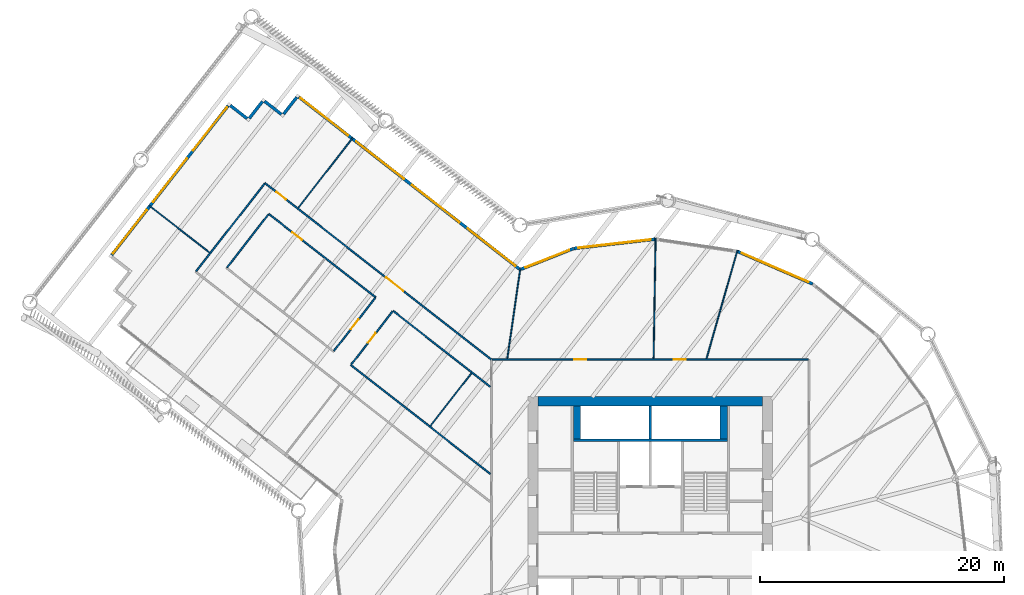
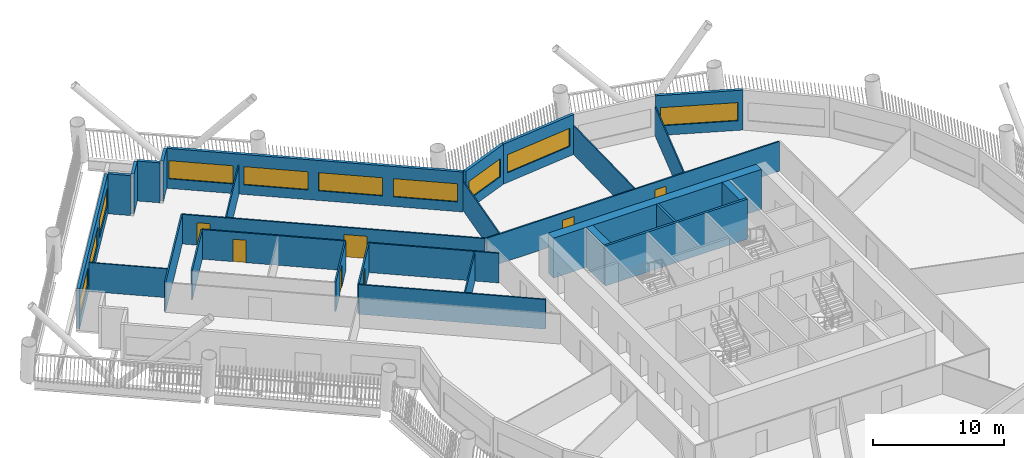
# One storey, part 7 of 22: 29 walls, 10 windows, 7 doors, 17 openings.
"""IFC4 building model written with IfcOpenShell, lengths in metres."""

from ifc_helpers import new_model, si_unit, direction, frame, frame_2d, origin, place, context, subcontext, project, spatial, rectangle, extrude, material, layer, layer_set, type_object, element, fill, save


model = new_model("IFC4")

# Units and contexts
model_context = context("Model", 3, precision=1e-05, world=origin(), true_north=direction((0.0, 1.0)))
body_context = subcontext(model_context, "Body", "Model", "MODEL_VIEW")
ifc_project = project(units=[si_unit("LENGTHUNIT", "METRE"), si_unit("AREAUNIT", "SQUARE_METRE"), si_unit("VOLUMEUNIT", "CUBIC_METRE"), si_unit("PLANEANGLEUNIT", "RADIAN"), si_unit("MASSUNIT", "GRAM", prefix="KILO")], contexts=[model_context])

# Site, building, storey
site_placement = place(None, origin())
site = spatial("IfcSite", under=ifc_project, at=site_placement, CompositionType="ELEMENT")
building_placement = place(site_placement, origin())
building = spatial("IfcBuilding", under=site, at=building_placement, Name="Tarsis Ring Headquarters", CompositionType="ELEMENT")
storey_placement = place(building_placement, frame((0.0, 0.0, 116.199951171875)))
storey = spatial("IfcBuildingStorey", under=building, at=storey_placement, Name="L26", CompositionType="ELEMENT", Elevation=116.199951171875)

# Walls
ifc_material_1 = material(Name="Concrete C60/75", Category="concrete")
ifc_layer_1 = layer(ifc_material_1, 0.800048828125)
ifc_layer_set_1 = layer_set([ifc_layer_1], Name="Core wall 800 C60/75")
wall_type_1 = type_object("IfcWallType", Name="Core wall 800 C60/75", PredefinedType="SHEAR", material=ifc_layer_set_1)
wall_1_placement = place(storey_placement, frame((-9.199951171875, 12.60009765625, 0.0), z_axis=(0.0, 0.0, 1.0), x_axis=(1.0, 0.0, 0.0)))
element("IfcWall", 1, at=wall_1_placement, inside=storey, type_object=wall_type_1, Name="Core wall ON", PredefinedType="SHEAR", context=body_context, shape_type="SweptSolid", body=[
    extrude(rectangle(XDim=18.39990234375, YDim=0.800048828125, at=frame_2d((9.199951171875, 0.0))), origin(), (0.0, 0.0, 1.0), 3.739990234375),
])
ifc_material_2 = material(Name="Gypsum board on steel studs", Category="steel")
ifc_layer_2 = layer(ifc_material_2, 0.10009765625)
ifc_layer_set_2 = layer_set([ifc_layer_2], Name="FL partition 100 unrated")
wall_type_2 = type_object("IfcWallType", Name="FL partition 100 unrated", PredefinedType="PARTITIONING", material=ifc_layer_set_2)
wall_2_placement = place(storey_placement, frame((0.269287109375, 16.070068359375, 0.0), z_axis=(0.0, 0.0, 1.0), x_axis=(0.016761565405, 0.999859515095, 0.0)))
element("IfcWall", 2, at=wall_2_placement, inside=storey, type_object=wall_type_2, Name="Partition PW3", PredefinedType="PARTITIONING", context=body_context, shape_type="SweptSolid", body=[
    extrude(rectangle(XDim=9.87548828125, YDim=0.10009765625, at=frame_2d((4.937744140625, 0.0))), origin(), (0.0, 0.0, 1.0), 2.699951171875),
])
wall_3_placement = place(storey_placement, frame((4.59521484375, 16.0673828125, 0.0), z_axis=(0.0, 0.0, 1.0), x_axis=(0.274951532173, 0.961458087987, 0.0)))
element("IfcWall", 3, at=wall_3_placement, inside=storey, type_object=wall_type_2, Name="Partition PW3", PredefinedType="PARTITIONING", context=body_context, shape_type="SweptSolid", body=[
    extrude(rectangle(XDim=9.236328125, YDim=0.10009765625, at=frame_2d((4.6181640625, 0.0))), origin(), (0.0, 0.0, 1.0), 2.699951171875),
])
wall_4_placement = place(storey_placement, frame((-11.705322265625, 16.06884765625, 0.0), z_axis=(0.0, 0.0, 1.0), x_axis=(0.142791016485, 0.989752860875, 0.0)))
element("IfcWall", 4, at=wall_4_placement, inside=storey, type_object=wall_type_2, Name="Partition PW3", PredefinedType="PARTITIONING", context=body_context, shape_type="SweptSolid", body=[
    extrude(rectangle(XDim=7.435791015625, YDim=0.10009765625, at=frame_2d((3.7177734375, 0.0))), origin(), (0.0, 0.0, 1.0), 2.699951171875),
])
wall_5_placement = place(storey_placement, frame((-28.824462890625, 28.423583984375, 0.0), z_axis=(0.0, 0.0, 1.0), x_axis=(0.615118651761, 0.788434552931, 0.0)))
element("IfcWall", 5, at=wall_5_placement, inside=storey, type_object=wall_type_2, Name="Partition PW3", PredefinedType="PARTITIONING", context=body_context, shape_type="SweptSolid", body=[
    extrude(rectangle(XDim=7.27001953125, YDim=0.10009765625, at=frame_2d((3.635009765625, 0.0))), origin(), (0.0, 0.0, 1.0), 2.699951171875),
])
wall_6_placement = place(storey_placement, frame((-41.02490234375, 28.61962890625, 0.0), z_axis=(0.0, 0.0, 1.0), x_axis=(0.788449137075, -0.615099957931, 0.0)))
element("IfcWall", 6, at=wall_6_placement, inside=storey, type_object=wall_type_2, Name="Partition PW3", PredefinedType="PARTITIONING", context=body_context, shape_type="SweptSolid", body=[
    extrude(rectangle(XDim=6.280029296875, YDim=0.10009765625, at=frame_2d((3.14013671875, 0.0))), origin(), (0.0, 0.0, 1.0), 2.699951171875),
])
wall_7_placement = place(storey_placement, frame((-18.006103515625, 10.572509765625, 0.0), z_axis=(0.0, 0.0, 1.0), x_axis=(0.615124310273, 0.788430138256, 0.0)))
element("IfcWall", 7, at=wall_7_placement, inside=storey, type_object=wall_type_2, Name="Partition PW3", PredefinedType="PARTITIONING", context=body_context, shape_type="SweptSolid", body=[
    extrude(rectangle(XDim=5.47998046875, YDim=0.10009765625, at=frame_2d((2.739990234375, 0.0))), origin(), (0.0, 0.0, 1.0), 2.699951171875),
])

# Wall, openings, doors
ifc_layer_3 = layer(ifc_material_2, 0.125)
ifc_layer_set_3 = layer_set([ifc_layer_3], Name="FL partition 125 EI 60 H2770")
wall_type_3 = type_object("IfcWallType", Name="FL partition 125 EI 60 H2770", PredefinedType="PARTITIONING", material=ifc_layer_set_3)
wall_8_placement = place(storey_placement, frame((-12.93994140625, 16.0, 0.0), z_axis=(0.0, 0.0, 1.0), x_axis=(1.0, 0.0, 0.0)))
wall_8 = element("IfcWall", 8, at=wall_8_placement, inside=storey, type_object=wall_type_3, Name="Partition PW1", PredefinedType="PARTITIONING", context=body_context, shape_type="SweptSolid", body=[
    extrude(rectangle(XDim=25.8798828125, YDim=0.125, at=frame_2d((12.93994140625, 0.0))), origin(), (0.0, 0.0, 1.0), 2.77001953125),
])
opening_1_placement = place(wall_8_placement, frame((6.715087890625, 0.0, 0.0)))
opening_1 = element("IfcOpeningElement", 9, at=opening_1_placement, cuts=wall_8, Name="Opening D26.04", PredefinedType="OPENING", context=body_context, shape_type="SweptSolid", body=[
    extrude(rectangle(XDim=1.0, YDim=2.10009765625, at=frame_2d((0.5, 1.050048828125))), frame((0.0, 0.072509765625, 0.0), z_axis=(0.0, -1.0, 0.0), x_axis=(1.0, 0.0, 0.0)), (0.0, 0.0, 1.0), 0.14501953125),
])
opening_2_placement = place(wall_8_placement, frame((14.862060546875, 0.0, 0.0)))
opening_2 = element("IfcOpeningElement", 10, at=opening_2_placement, cuts=wall_8, Name="Opening D26.05", PredefinedType="OPENING", context=body_context, shape_type="SweptSolid", body=[
    extrude(rectangle(XDim=1.0, YDim=2.10009765625, at=frame_2d((0.5, 1.050048828125))), frame((0.0, 0.072509765625, 0.0), z_axis=(0.0, -1.0, 0.0), x_axis=(1.0, 0.0, 0.0)), (0.0, 0.0, 1.0), 0.14501953125),
])
ifc_material_3 = material(Name="Fire-rated timber door leaf in steel frame", Category="steel")
door_type_1 = type_object("IfcDoorType", Name="FL door FD60-1000", OperationType="NOTDEFINED", PredefinedType="DOOR", material=ifc_material_3)
door_1_placement = place(opening_1_placement, origin())
door_1 = element("IfcDoor", 11, at=door_1_placement, inside=storey, type_object=door_type_1, Name="Door D26.04", OperationType="SINGLE_SWING_RIGHT", OverallHeight=2.10009765625, OverallWidth=1.0, PredefinedType="DOOR", context=body_context, shape_type="SweptSolid", body=[
    extrude(rectangle(XDim=1.0, YDim=2.10009765625, at=frame_2d((0.5, 1.050048828125))), frame((0.0, 0.02490234375, 0.0), z_axis=(0.0, -1.0, 0.0), x_axis=(1.0, 0.0, 0.0)), (0.0, 0.0, 1.0), 0.050048828125),
])
fill(opening_1, door_1)
door_2_placement = place(opening_2_placement, origin())
door_2 = element("IfcDoor", 12, at=door_2_placement, inside=storey, type_object=door_type_1, Name="Door D26.05", OperationType="SINGLE_SWING_LEFT", OverallHeight=2.10009765625, OverallWidth=1.0, PredefinedType="DOOR", context=body_context, shape_type="SweptSolid", body=[
    extrude(rectangle(XDim=1.0, YDim=2.10009765625, at=frame_2d((0.5, 1.050048828125))), frame((0.0, 0.02490234375, 0.0), z_axis=(0.0, -1.0, 0.0), x_axis=(1.0, 0.0, 0.0)), (0.0, 0.0, 1.0), 0.050048828125),
])
fill(opening_2, door_2)

wall_9_placement = place(storey_placement, frame((-31.540283203125, 30.45361328125, 0.0), z_axis=(0.0, 0.0, 1.0), x_axis=(0.788438552175, -0.615113525655, 0.0)))
wall_9 = element("IfcWall", 13, at=wall_9_placement, inside=storey, type_object=wall_type_3, Name="Partition PW1", PredefinedType="PARTITIONING", context=body_context, shape_type="SweptSolid", body=[
    extrude(rectangle(XDim=23.475341796875, YDim=0.125, at=frame_2d((11.73779296875, 0.0))), origin(), (0.0, 0.0, 1.0), 2.77001953125),
])
opening_3_placement = place(wall_9_placement, frame((1.19384765625, 0.0, 0.0)))
opening_3 = element("IfcOpeningElement", 14, at=opening_3_placement, cuts=wall_9, Name="Opening D26.02", PredefinedType="OPENING", context=body_context, shape_type="SweptSolid", body=[
    extrude(rectangle(XDim=1.0, YDim=2.10009765625, at=frame_2d((0.5, 1.050048828125))), frame((0.0, 0.072509765625, 0.0), z_axis=(0.0, -1.0, 0.0), x_axis=(1.0, 0.0, 0.0)), (0.0, 0.0, 1.0), 0.14501953125),
])
opening_4_placement = place(wall_9_placement, frame((12.551513671875, 0.0, 0.0)))
opening_4 = element("IfcOpeningElement", 15, at=opening_4_placement, cuts=wall_9, Name="Opening D26.03", PredefinedType="OPENING", context=body_context, shape_type="SweptSolid", body=[
    extrude(rectangle(XDim=1.800048828125, YDim=2.10009765625, at=frame_2d((0.89990234375, 1.050048828125))), frame((0.0, 0.072509765625, 0.0), z_axis=(0.0, -1.0, 0.0), x_axis=(1.0, 0.0, 0.0)), (0.0, 0.0, 1.0), 0.14501953125),
])
door_3_placement = place(opening_3_placement, origin())
door_3 = element("IfcDoor", 16, at=door_3_placement, inside=storey, type_object=door_type_1, Name="Door D26.02", OperationType="SINGLE_SWING_RIGHT", OverallHeight=2.10009765625, OverallWidth=1.0, PredefinedType="DOOR", context=body_context, shape_type="SweptSolid", body=[
    extrude(rectangle(XDim=1.0, YDim=2.10009765625, at=frame_2d((0.5, 1.050048828125))), frame((0.0, 0.02490234375, 0.0), z_axis=(0.0, -1.0, 0.0), x_axis=(1.0, 0.0, 0.0)), (0.0, 0.0, 1.0), 0.050048828125),
])
fill(opening_3, door_3)
door_type_2 = type_object("IfcDoorType", Name="FL door FD60-1800", OperationType="DOUBLE_DOOR_SINGLE_SWING", PredefinedType="DOOR", material=ifc_material_3)
door_4_placement = place(opening_4_placement, origin())
door_4 = element("IfcDoor", 17, at=door_4_placement, inside=storey, type_object=door_type_2, Name="Door D26.03", OperationType="DOUBLE_DOOR_SINGLE_SWING", OverallHeight=2.10009765625, OverallWidth=1.800048828125, PredefinedType="DOOR", context=body_context, shape_type="SweptSolid", body=[
    extrude(rectangle(XDim=1.800048828125, YDim=2.10009765625, at=frame_2d((0.89990234375, 1.050048828125))), frame((0.0, 0.02490234375, 0.0), z_axis=(0.0, -1.0, 0.0), x_axis=(1.0, 0.0, 0.0)), (0.0, 0.0, 1.0), 0.050048828125),
])
fill(opening_4, door_4)

# Wall
wall_10_placement = place(storey_placement, frame((-24.514404296875, 15.561279296875, 0.0), z_axis=(0.0, 0.0, 1.0), x_axis=(0.788439196984, -0.615112699152, 0.0)))
element("IfcWall", 18, at=wall_10_placement, inside=storey, type_object=wall_type_3, Name="Partition PW1", PredefinedType="PARTITIONING", context=body_context, shape_type="SweptSolid", body=[
    extrude(rectangle(XDim=14.484130859375, YDim=0.125, at=frame_2d((7.2421875, 0.0))), origin(), (0.0, 0.0, 1.0), 2.77001953125),
])

# Wall, opening, door
wall_11_placement = place(storey_placement, frame((-31.228271484375, 27.92724609375, 0.0), z_axis=(0.0, 0.0, 1.0), x_axis=(0.788426354695, -0.615129159788, 0.0)))
wall_11 = element("IfcWall", 19, at=wall_11_placement, inside=storey, type_object=wall_type_3, Name="Partition PW1", PredefinedType="PARTITIONING", context=body_context, shape_type="SweptSolid", body=[
    extrude(rectangle(XDim=11.099853515625, YDim=0.125, at=frame_2d((5.5498046875, 0.0))), origin(), (0.0, 0.0, 1.0), 2.77001953125),
])
opening_5_placement = place(wall_11_placement, frame((2.44140625, 0.0, 0.0)))
opening_5 = element("IfcOpeningElement", 20, at=opening_5_placement, cuts=wall_11, Name="Opening D26.21", PredefinedType="OPENING", context=body_context, shape_type="SweptSolid", body=[
    extrude(rectangle(XDim=1.0, YDim=2.10009765625, at=frame_2d((0.5, 1.050048828125))), frame((0.0, 0.072509765625, 0.0), z_axis=(0.0, -1.0, 0.0), x_axis=(1.0, 0.0, 0.0)), (0.0, 0.0, 1.0), 0.14501953125),
])
door_5_placement = place(opening_5_placement, origin())
door_5 = element("IfcDoor", 21, at=door_5_placement, inside=storey, type_object=door_type_1, Name="Door D26.21", OperationType="SINGLE_SWING_LEFT", OverallHeight=2.10009765625, OverallWidth=1.0, PredefinedType="DOOR", context=body_context, shape_type="SweptSolid", body=[
    extrude(rectangle(XDim=1.0, YDim=2.10009765625, at=frame_2d((0.5, 1.050048828125))), frame((0.0, 0.02490234375, 0.0), z_axis=(0.0, -1.0, 0.0), x_axis=(1.0, 0.0, 0.0)), (0.0, 0.0, 1.0), 0.050048828125),
])
fill(opening_5, door_5)

# Walls
wall_12_placement = place(storey_placement, frame((-21.0576171875, 19.9921875, 0.0), z_axis=(0.0, 0.0, 1.0), x_axis=(0.788446737044, -0.615103034332, 0.0)))
element("IfcWall", 22, at=wall_12_placement, inside=storey, type_object=wall_type_3, Name="Partition PW1", PredefinedType="PARTITIONING", context=body_context, shape_type="SweptSolid", body=[
    extrude(rectangle(XDim=10.099853515625, YDim=0.125, at=frame_2d((5.0498046875, 0.0))), origin(), (0.0, 0.0, 1.0), 2.77001953125),
])
wall_13_placement = place(storey_placement, frame((-37.1748046875, 23.2314453125, 0.0), z_axis=(0.0, 0.0, 1.0), x_axis=(0.615121200448, 0.788432564497, 0.0)))
element("IfcWall", 23, at=wall_13_placement, inside=storey, type_object=wall_type_3, Name="Partition PW1", PredefinedType="PARTITIONING", context=body_context, shape_type="SweptSolid", body=[
    extrude(rectangle(XDim=9.10009765625, YDim=0.125, at=frame_2d((4.550048828125, 0.0))), origin(), (0.0, 0.0, 1.0), 2.77001953125),
])

# Wall, opening, door
wall_14_placement = place(storey_placement, frame((-24.4775390625, 15.6083984375, 0.0), z_axis=(0.0, 0.0, 1.0), x_axis=(0.615104656151, 0.788445471787, 0.0)))
wall_14 = element("IfcWall", 24, at=wall_14_placement, inside=storey, type_object=wall_type_3, Name="Partition PW1", PredefinedType="PARTITIONING", context=body_context, shape_type="SweptSolid", body=[
    extrude(rectangle(XDim=5.5, YDim=0.125, at=frame_2d((2.75, 0.0))), origin(), (0.0, 0.0, 1.0), 2.77001953125),
])
opening_6_placement = place(wall_14_placement, frame((2.25, 0.0, 0.0)))
opening_6 = element("IfcOpeningElement", 25, at=opening_6_placement, cuts=wall_14, Name="Opening D26.17", PredefinedType="OPENING", context=body_context, shape_type="SweptSolid", body=[
    extrude(rectangle(XDim=1.0, YDim=2.10009765625, at=frame_2d((0.5, 1.050048828125))), frame((0.0, 0.072509765625, 0.0), z_axis=(0.0, -1.0, 0.0), x_axis=(1.0, 0.0, 0.0)), (0.0, 0.0, 1.0), 0.14501953125),
])
door_6_placement = place(opening_6_placement, origin())
door_6 = element("IfcDoor", 26, at=door_6_placement, inside=storey, type_object=door_type_1, Name="Door D26.17", OperationType="SINGLE_SWING_LEFT", OverallHeight=2.10009765625, OverallWidth=1.0, PredefinedType="DOOR", context=body_context, shape_type="SweptSolid", body=[
    extrude(rectangle(XDim=1.0, YDim=2.10009765625, at=frame_2d((0.5, 1.050048828125))), frame((0.0, 0.02490234375, 0.0), z_axis=(0.0, -1.0, 0.0), x_axis=(1.0, 0.0, 0.0)), (0.0, 0.0, 1.0), 0.050048828125),
])
fill(opening_6, door_6)

# Wall
wall_15_placement = place(storey_placement, frame((-34.6484375, 23.54345703125, 0.0), z_axis=(0.0, 0.0, 1.0), x_axis=(0.615104656151, 0.788445471787, 0.0)))
element("IfcWall", 27, at=wall_15_placement, inside=storey, type_object=wall_type_3, Name="Partition PW1", PredefinedType="PARTITIONING", context=body_context, shape_type="SweptSolid", body=[
    extrude(rectangle(XDim=5.5, YDim=0.125, at=frame_2d((2.75, 0.0))), origin(), (0.0, 0.0, 1.0), 2.77001953125),
])

# Wall, opening, door
wall_16_placement = place(storey_placement, frame((-25.896728515625, 16.7158203125, 0.0), z_axis=(0.0, 0.0, 1.0), x_axis=(0.615126184516, 0.78842867599, 0.0)))
wall_16 = element("IfcWall", 28, at=wall_16_placement, inside=storey, type_object=wall_type_3, Name="Partition PW1", PredefinedType="PARTITIONING", context=body_context, shape_type="SweptSolid", body=[
    extrude(rectangle(XDim=5.499755859375, YDim=0.125, at=frame_2d((2.75, 0.0))), origin(), (0.0, 0.0, 1.0), 2.77001953125),
])
opening_7_placement = place(wall_16_placement, frame((2.25, 0.0, 0.0)))
opening_7 = element("IfcOpeningElement", 29, at=opening_7_placement, cuts=wall_16, Name="Opening D26.22", PredefinedType="OPENING", context=body_context, shape_type="SweptSolid", body=[
    extrude(rectangle(XDim=1.0, YDim=2.10009765625, at=frame_2d((0.5, 1.050048828125))), frame((0.0, 0.072509765625, 0.0), z_axis=(0.0, -1.0, 0.0), x_axis=(1.0, 0.0, 0.0)), (0.0, 0.0, 1.0), 0.14501953125),
])
door_7_placement = place(opening_7_placement, origin())
door_7 = element("IfcDoor", 30, at=door_7_placement, inside=storey, type_object=door_type_1, Name="Door D26.22", OperationType="SINGLE_SWING_RIGHT", OverallHeight=2.10009765625, OverallWidth=1.0, PredefinedType="DOOR", context=body_context, shape_type="SweptSolid", body=[
    extrude(rectangle(XDim=1.0, YDim=2.10009765625, at=frame_2d((0.5, 1.050048828125))), frame((0.0, 0.02490234375, 0.0), z_axis=(0.0, -1.0, 0.0), x_axis=(1.0, 0.0, 0.0)), (0.0, 0.0, 1.0), 0.050048828125),
])
fill(opening_7, door_7)

# Wall, opening, window
ifc_material_4 = material(Name="Terracotta clad insulated panel wall", Category="masonry")
ifc_layer_4 = layer(ifc_material_4, 0.25)
ifc_layer_set_4 = layer_set([ifc_layer_4], Name="Facade wall terracotta panel 250")
wall_type_4 = type_object("IfcWallType", Name="Facade wall terracotta panel 250", PredefinedType="STANDARD", material=ifc_layer_set_4)
wall_17_placement = place(storey_placement, frame((13.29541015625, 22.194091796875, 0.0), z_axis=(0.0, 0.0, 1.0), x_axis=(-0.917327991507, 0.398132334781, 0.0)))
wall_17 = element("IfcWall", 31, at=wall_17_placement, inside=storey, type_object=wall_type_4, Name="External wall L26-27", PredefinedType="STANDARD", context=body_context, shape_type="SweptSolid", body=[
    extrude(rectangle(XDim=6.721435546875, YDim=0.25, at=frame_2d((3.36083984375, 0.0))), origin(), (0.0, 0.0, 1.0), 3.739990234375),
])
opening_8_placement = place(wall_17_placement, frame((0.3857421875, 0.0, 0.89990234375)))
opening_8 = element("IfcOpeningElement", 32, at=opening_8_placement, cuts=wall_17, Name="Opening WN07", PredefinedType="OPENING", context=body_context, shape_type="SweptSolid", body=[
    extrude(rectangle(XDim=5.949951171875, YDim=1.699951171875, at=frame_2d((2.97509765625, 0.85009765625))), frame((0.0, 0.135009765625, 0.0), z_axis=(0.0, -1.0, 0.0), x_axis=(1.0, 0.0, 0.0)), (0.0, 0.0, 1.0), 0.27001953125),
])
ifc_material_5 = material(Name="Aluminium framed double glazing", Category="aluminium")
window_type_1 = type_object("IfcWindowType", Name="Facade window 5950 x 1700", PartitioningType="SINGLE_PANEL", PredefinedType="WINDOW", material=ifc_material_5)
window_1_placement = place(opening_8_placement, origin())
window_1 = element("IfcWindow", 33, at=window_1_placement, inside=storey, type_object=window_type_1, Name="Window L26-27.1", OverallHeight=1.699951171875, OverallWidth=5.949951171875, PartitioningType="SINGLE_PANEL", PredefinedType="WINDOW", context=body_context, shape_type="SweptSolid", body=[
    extrude(rectangle(XDim=5.949951171875, YDim=1.699951171875, at=frame_2d((2.97509765625, 0.85009765625))), frame((0.0, 0.030029296875, 0.0), z_axis=(0.0, -1.0, 0.0), x_axis=(1.0, 0.0, 0.0)), (0.0, 0.0, 1.0), 0.06005859375),
])
fill(opening_8, window_1)

wall_18_placement = place(storey_placement, frame((0.417236328125, 25.868408203125, 0.0), z_axis=(0.0, 0.0, 1.0), x_axis=(-0.993491868162, -0.113903063596, 0.0)))
wall_18 = element("IfcWall", 34, at=wall_18_placement, inside=storey, type_object=wall_type_4, Name="External wall L26-29", PredefinedType="STANDARD", context=body_context, shape_type="SweptSolid", body=[
    extrude(rectangle(XDim=6.7216796875, YDim=0.25, at=frame_2d((3.36083984375, 0.0))), origin(), (0.0, 0.0, 1.0), 3.739990234375),
])
opening_9_placement = place(wall_18_placement, frame((0.3857421875, 0.0, 0.89990234375)))
opening_9 = element("IfcOpeningElement", 35, at=opening_9_placement, cuts=wall_18, Name="Opening WN07", PredefinedType="OPENING", context=body_context, shape_type="SweptSolid", body=[
    extrude(rectangle(XDim=5.949951171875, YDim=1.699951171875, at=frame_2d((2.97509765625, 0.85009765625))), frame((0.0, 0.135009765625, 0.0), z_axis=(0.0, -1.0, 0.0), x_axis=(1.0, 0.0, 0.0)), (0.0, 0.0, 1.0), 0.27001953125),
])
window_2_placement = place(opening_9_placement, origin())
window_2 = element("IfcWindow", 36, at=window_2_placement, inside=storey, type_object=window_type_1, Name="Window L26-29.1", OverallHeight=1.699951171875, OverallWidth=5.949951171875, PartitioningType="SINGLE_PANEL", PredefinedType="WINDOW", context=body_context, shape_type="SweptSolid", body=[
    extrude(rectangle(XDim=5.949951171875, YDim=1.699951171875, at=frame_2d((2.97509765625, 0.85009765625))), frame((0.0, 0.030029296875, 0.0), z_axis=(0.0, -1.0, 0.0), x_axis=(1.0, 0.0, 0.0)), (0.0, 0.0, 1.0), 0.06005859375),
])
fill(opening_9, window_2)

wall_19_placement = place(storey_placement, frame((-6.292236328125, 25.094970703125, 0.0), z_axis=(0.0, 0.0, 1.0), x_axis=(-0.930155221331, -0.367166534736, 0.0)))
wall_19 = element("IfcWall", 37, at=wall_19_placement, inside=storey, type_object=wall_type_4, Name="External wall L26-30", PredefinedType="STANDARD", context=body_context, shape_type="SweptSolid", body=[
    extrude(rectangle(XDim=4.617919921875, YDim=0.25, at=frame_2d((2.30908203125, 0.0))), origin(), (0.0, 0.0, 1.0), 3.739990234375),
])
opening_10_placement = place(wall_19_placement, frame((0.367431640625, 0.0, 0.89990234375)))
opening_10 = element("IfcOpeningElement", 38, at=opening_10_placement, cuts=wall_19, Name="Opening WN02", PredefinedType="OPENING", context=body_context, shape_type="SweptSolid", body=[
    extrude(rectangle(XDim=3.85009765625, YDim=1.699951171875, at=frame_2d((1.925048828125, 0.85009765625))), frame((0.0, 0.135009765625, 0.0), z_axis=(0.0, -1.0, 0.0), x_axis=(1.0, 0.0, 0.0)), (0.0, 0.0, 1.0), 0.27001953125),
])
window_type_2 = type_object("IfcWindowType", Name="Facade window 3850 x 1700", PartitioningType="SINGLE_PANEL", PredefinedType="WINDOW", material=ifc_material_5)
window_3_placement = place(opening_10_placement, origin())
window_3 = element("IfcWindow", 39, at=window_3_placement, inside=storey, type_object=window_type_2, Name="Window L26-30.1", OverallHeight=1.699951171875, OverallWidth=3.85009765625, PartitioningType="SINGLE_PANEL", PredefinedType="WINDOW", context=body_context, shape_type="SweptSolid", body=[
    extrude(rectangle(XDim=3.85009765625, YDim=1.699951171875, at=frame_2d((1.925048828125, 0.85009765625))), frame((0.0, 0.030029296875, 0.0), z_axis=(0.0, -1.0, 0.0), x_axis=(1.0, 0.0, 0.0)), (0.0, 0.0, 1.0), 0.06005859375),
])
fill(opening_10, window_3)

# Wall, openings, windows
wall_20_placement = place(storey_placement, frame((-10.71044921875, 23.417236328125, 0.0), z_axis=(0.0, 0.0, 1.0), x_axis=(-0.788436333578, 0.615116369392, 0.0)))
wall_20 = element("IfcWall", 40, at=wall_20_placement, inside=storey, type_object=wall_type_4, Name="External wall L26-31", PredefinedType="STANDARD", context=body_context, shape_type="SweptSolid", body=[
    extrude(rectangle(XDim=22.901123046875, YDim=0.25, at=frame_2d((11.45068359375, 0.0))), origin(), (0.0, 0.0, 1.0), 3.739990234375),
])
opening_11_placement = place(wall_20_placement, frame((0.4189453125, 0.0, 0.89990234375)))
opening_11 = element("IfcOpeningElement", 41, at=opening_11_placement, cuts=wall_20, Name="Opening WN05", PredefinedType="OPENING", context=body_context, shape_type="SweptSolid", body=[
    extrude(rectangle(XDim=4.949951171875, YDim=1.699951171875, at=frame_2d((2.47509765625, 0.85009765625))), frame((0.0, 0.135009765625, 0.0), z_axis=(0.0, -1.0, 0.0), x_axis=(1.0, 0.0, 0.0)), (0.0, 0.0, 1.0), 0.27001953125),
])
opening_12_placement = place(wall_20_placement, frame((6.206787109375, 0.0, 0.89990234375)))
opening_12 = element("IfcOpeningElement", 42, at=opening_12_placement, cuts=wall_20, Name="Opening WN05", PredefinedType="OPENING", context=body_context, shape_type="SweptSolid", body=[
    extrude(rectangle(XDim=4.949951171875, YDim=1.699951171875, at=frame_2d((2.47509765625, 0.85009765625))), frame((0.0, 0.135009765625, 0.0), z_axis=(0.0, -1.0, 0.0), x_axis=(1.0, 0.0, 0.0)), (0.0, 0.0, 1.0), 0.27001953125),
])
opening_13_placement = place(wall_20_placement, frame((11.99462890625, 0.0, 0.89990234375)))
opening_13 = element("IfcOpeningElement", 43, at=opening_13_placement, cuts=wall_20, Name="Opening WN05", PredefinedType="OPENING", context=body_context, shape_type="SweptSolid", body=[
    extrude(rectangle(XDim=4.949951171875, YDim=1.699951171875, at=frame_2d((2.47509765625, 0.85009765625))), frame((0.0, 0.135009765625, 0.0), z_axis=(0.0, -1.0, 0.0), x_axis=(1.0, 0.0, 0.0)), (0.0, 0.0, 1.0), 0.27001953125),
])
opening_14_placement = place(wall_20_placement, frame((17.782470703125, 0.0, 0.89990234375)))
opening_14 = element("IfcOpeningElement", 44, at=opening_14_placement, cuts=wall_20, Name="Opening WN05", PredefinedType="OPENING", context=body_context, shape_type="SweptSolid", body=[
    extrude(rectangle(XDim=4.949951171875, YDim=1.699951171875, at=frame_2d((2.47509765625, 0.85009765625))), frame((0.0, 0.135009765625, 0.0), z_axis=(0.0, -1.0, 0.0), x_axis=(1.0, 0.0, 0.0)), (0.0, 0.0, 1.0), 0.27001953125),
])
window_type_3 = type_object("IfcWindowType", Name="Facade window 4950 x 1700", PartitioningType="SINGLE_PANEL", PredefinedType="WINDOW", material=ifc_material_5)
window_4_placement = place(opening_11_placement, origin())
window_4 = element("IfcWindow", 45, at=window_4_placement, inside=storey, type_object=window_type_3, Name="Window L26-31.1", OverallHeight=1.699951171875, OverallWidth=4.949951171875, PartitioningType="SINGLE_PANEL", PredefinedType="WINDOW", context=body_context, shape_type="SweptSolid", body=[
    extrude(rectangle(XDim=4.949951171875, YDim=1.699951171875, at=frame_2d((2.47509765625, 0.85009765625))), frame((0.0, 0.030029296875, 0.0), z_axis=(0.0, -1.0, 0.0), x_axis=(1.0, 0.0, 0.0)), (0.0, 0.0, 1.0), 0.06005859375),
])
fill(opening_11, window_4)
window_5_placement = place(opening_12_placement, origin())
window_5 = element("IfcWindow", 46, at=window_5_placement, inside=storey, type_object=window_type_3, Name="Window L26-31.2", OverallHeight=1.699951171875, OverallWidth=4.949951171875, PartitioningType="SINGLE_PANEL", PredefinedType="WINDOW", context=body_context, shape_type="SweptSolid", body=[
    extrude(rectangle(XDim=4.949951171875, YDim=1.699951171875, at=frame_2d((2.47509765625, 0.85009765625))), frame((0.0, 0.030029296875, 0.0), z_axis=(0.0, -1.0, 0.0), x_axis=(1.0, 0.0, 0.0)), (0.0, 0.0, 1.0), 0.06005859375),
])
fill(opening_12, window_5)
window_6_placement = place(opening_13_placement, origin())
window_6 = element("IfcWindow", 47, at=window_6_placement, inside=storey, type_object=window_type_3, Name="Window L26-31.3", OverallHeight=1.699951171875, OverallWidth=4.949951171875, PartitioningType="SINGLE_PANEL", PredefinedType="WINDOW", context=body_context, shape_type="SweptSolid", body=[
    extrude(rectangle(XDim=4.949951171875, YDim=1.699951171875, at=frame_2d((2.47509765625, 0.85009765625))), frame((0.0, 0.030029296875, 0.0), z_axis=(0.0, -1.0, 0.0), x_axis=(1.0, 0.0, 0.0)), (0.0, 0.0, 1.0), 0.06005859375),
])
fill(opening_13, window_6)
window_7_placement = place(opening_14_placement, origin())
window_7 = element("IfcWindow", 48, at=window_7_placement, inside=storey, type_object=window_type_3, Name="Window L26-31.4", OverallHeight=1.699951171875, OverallWidth=4.949951171875, PartitioningType="SINGLE_PANEL", PredefinedType="WINDOW", context=body_context, shape_type="SweptSolid", body=[
    extrude(rectangle(XDim=4.949951171875, YDim=1.699951171875, at=frame_2d((2.47509765625, 0.85009765625))), frame((0.0, 0.030029296875, 0.0), z_axis=(0.0, -1.0, 0.0), x_axis=(1.0, 0.0, 0.0)), (0.0, 0.0, 1.0), 0.06005859375),
])
fill(opening_14, window_7)

# Walls
for number, where, z_axis, x_axis, name in (
    (49, (-28.942138671875, 37.482421875, 0.0), (0.0, 0.0, 1.0), (-0.615069961019, -0.788472537918, 0.0), "External wall L26-32"),
    (50, (-30.194091796875, 36.0810546875, 0.0), (0.0, 0.0, 1.0), (-0.788419753577, 0.615137620513, 0.0), "External wall L26-33"),
    (51, (-31.749267578125, 37.1357421875, 0.0), (0.0, 0.0, 1.0), (-0.615069961019, -0.788472537918, 0.0), "External wall L26-34"),
    (52, (-33.001220703125, 35.734375, 0.0), (0.0, 0.0, 1.0), (-0.788419753577, 0.615137620513, 0.0), "External wall L26-35"),
):
    element("IfcWall", number, at=place(storey_placement, frame(where, z_axis=z_axis, x_axis=x_axis)), inside=storey, type_object=wall_type_4, Name=name, PredefinedType="STANDARD", context=body_context, shape_type="SweptSolid", body=[
        extrude(rectangle(XDim=1.75, YDim=0.25, at=frame_2d((0.875, 0.0))), origin(), (0.0, 0.0, 1.0), 3.739990234375),
    ])

# Wall, openings, windows
wall_21_placement = place(storey_placement, frame((-34.556396484375, 36.7890625, 0.0), z_axis=(0.0, 0.0, 1.0), x_axis=(-0.615113273545, -0.788438748863, 0.0)))
wall_21 = element("IfcWall", 53, at=wall_21_placement, inside=storey, type_object=wall_type_4, Name="External wall L26-36", PredefinedType="STANDARD", context=body_context, shape_type="SweptSolid", body=[
    extrude(rectangle(XDim=15.499755859375, YDim=0.25, at=frame_2d((7.75, 0.0))), origin(), (0.0, 0.0, 1.0), 3.739990234375),
])
opening_15_placement = place(wall_21_placement, frame((0.166748046875, 0.0, 0.89990234375)))
opening_15 = element("IfcOpeningElement", 54, at=opening_15_placement, cuts=wall_21, Name="Opening WN04", PredefinedType="OPENING", context=body_context, shape_type="SweptSolid", body=[
    extrude(rectangle(XDim=4.5, YDim=1.699951171875, at=frame_2d((2.25, 0.85009765625))), frame((0.0, 0.135009765625, 0.0), z_axis=(0.0, -1.0, 0.0), x_axis=(1.0, 0.0, 0.0)), (0.0, 0.0, 1.0), 0.27001953125),
])
opening_16_placement = place(wall_21_placement, frame((5.5, 0.0, 0.89990234375)))
opening_16 = element("IfcOpeningElement", 55, at=opening_16_placement, cuts=wall_21, Name="Opening WN04", PredefinedType="OPENING", context=body_context, shape_type="SweptSolid", body=[
    extrude(rectangle(XDim=4.5, YDim=1.699951171875, at=frame_2d((2.25, 0.85009765625))), frame((0.0, 0.135009765625, 0.0), z_axis=(0.0, -1.0, 0.0), x_axis=(1.0, 0.0, 0.0)), (0.0, 0.0, 1.0), 0.27001953125),
])
opening_17_placement = place(wall_21_placement, frame((10.833251953125, 0.0, 0.89990234375)))
opening_17 = element("IfcOpeningElement", 56, at=opening_17_placement, cuts=wall_21, Name="Opening WN04", PredefinedType="OPENING", context=body_context, shape_type="SweptSolid", body=[
    extrude(rectangle(XDim=4.5, YDim=1.699951171875, at=frame_2d((2.25, 0.85009765625))), frame((0.0, 0.135009765625, 0.0), z_axis=(0.0, -1.0, 0.0), x_axis=(1.0, 0.0, 0.0)), (0.0, 0.0, 1.0), 0.27001953125),
])
window_type_4 = type_object("IfcWindowType", Name="Facade window 4500 x 1700", PartitioningType="SINGLE_PANEL", PredefinedType="WINDOW", material=ifc_material_5)
window_8_placement = place(opening_15_placement, origin())
window_8 = element("IfcWindow", 57, at=window_8_placement, inside=storey, type_object=window_type_4, Name="Window L26-36.1", OverallHeight=1.699951171875, OverallWidth=4.5, PartitioningType="SINGLE_PANEL", PredefinedType="WINDOW", context=body_context, shape_type="SweptSolid", body=[
    extrude(rectangle(XDim=4.5, YDim=1.699951171875, at=frame_2d((2.25, 0.85009765625))), frame((0.0, 0.030029296875, 0.0), z_axis=(0.0, -1.0, 0.0), x_axis=(1.0, 0.0, 0.0)), (0.0, 0.0, 1.0), 0.06005859375),
])
fill(opening_15, window_8)
window_9_placement = place(opening_16_placement, origin())
window_9 = element("IfcWindow", 58, at=window_9_placement, inside=storey, type_object=window_type_4, Name="Window L26-36.2", OverallHeight=1.699951171875, OverallWidth=4.5, PartitioningType="SINGLE_PANEL", PredefinedType="WINDOW", context=body_context, shape_type="SweptSolid", body=[
    extrude(rectangle(XDim=4.5, YDim=1.699951171875, at=frame_2d((2.25, 0.85009765625))), frame((0.0, 0.030029296875, 0.0), z_axis=(0.0, -1.0, 0.0), x_axis=(1.0, 0.0, 0.0)), (0.0, 0.0, 1.0), 0.06005859375),
])
fill(opening_16, window_9)
window_10_placement = place(opening_17_placement, origin())
window_10 = element("IfcWindow", 59, at=window_10_placement, inside=storey, type_object=window_type_4, Name="Window L26-36.3", OverallHeight=1.699951171875, OverallWidth=4.5, PartitioningType="SINGLE_PANEL", PredefinedType="WINDOW", context=body_context, shape_type="SweptSolid", body=[
    extrude(rectangle(XDim=4.5, YDim=1.699951171875, at=frame_2d((2.25, 0.85009765625))), frame((0.0, 0.030029296875, 0.0), z_axis=(0.0, -1.0, 0.0), x_axis=(1.0, 0.0, 0.0)), (0.0, 0.0, 1.0), 0.06005859375),
])
fill(opening_17, window_10)

# Walls
ifc_material_6 = material(Name="Concrete C32/40", Category="concrete")
ifc_layer_5 = layer(ifc_material_6, 0.60009765625)
ifc_layer_set_5 = layer_set([ifc_layer_5], Name="Shaft end wall 600 C32/40")
wall_type_5 = type_object("IfcWallType", Name="Shaft end wall 600 C32/40", PredefinedType="SOLIDWALL", material=ifc_layer_set_5)
for number, where, z_axis, x_axis, name in (
    (60, (-6.0, 9.5, 0.0), (0.0, 0.0, 1.0), (0.0, 1.0, 0.0), "Core shaft wall NNE1"),
    (61, (6.0, 9.5, 0.0), (0.0, 0.0, 1.0), (0.0, 1.0, 0.0), "Core shaft wall NNE2"),
):
    element("IfcWall", number, at=place(storey_placement, frame(where, z_axis=z_axis, x_axis=x_axis)), inside=storey, type_object=wall_type_5, Name=name, PredefinedType="SOLIDWALL", context=body_context, shape_type="SweptSolid", body=[
        extrude(rectangle(XDim=2.699951171875, YDim=0.60009765625, at=frame_2d((1.35009765625, 0.0))), origin(), (0.0, 0.0, 1.0), 3.739990234375),
    ])
ifc_layer_6 = layer(ifc_material_6, 0.199951171875)
ifc_layer_set_6 = layer_set([ifc_layer_6], Name="Shaft wall 200 C32/40")
wall_type_6 = type_object("IfcWallType", Name="Shaft wall 200 C32/40", PredefinedType="SOLIDWALL", material=ifc_layer_set_6)
wall_22_placement = place(storey_placement, frame((-6.300048828125, 9.39990234375, 0.0), z_axis=(0.0, 0.0, 1.0), x_axis=(1.0, 0.0, 0.0)))
element("IfcWall", 62, at=wall_22_placement, inside=storey, type_object=wall_type_6, Name="Core shaft wall NB", PredefinedType="SOLIDWALL", context=body_context, shape_type="SweptSolid", body=[
    extrude(rectangle(XDim=12.60009765625, YDim=0.199951171875, at=frame_2d((6.300048828125, 0.0))), origin(), (0.0, 0.0, 1.0), 3.739990234375),
])
wall_23_placement = place(storey_placement, frame((0.0, 9.5, 0.0), z_axis=(0.0, 0.0, 1.0), x_axis=(0.0, 1.0, 0.0)))
element("IfcWall", 63, at=wall_23_placement, inside=storey, type_object=wall_type_6, Name="Core shaft wall ND2", PredefinedType="SOLIDWALL", context=body_context, shape_type="SweptSolid", body=[
    extrude(rectangle(XDim=2.699951171875, YDim=0.199951171875, at=frame_2d((1.35009765625, 0.0))), origin(), (0.0, 0.0, 1.0), 3.739990234375),
])

save(model, "model.ifc")
